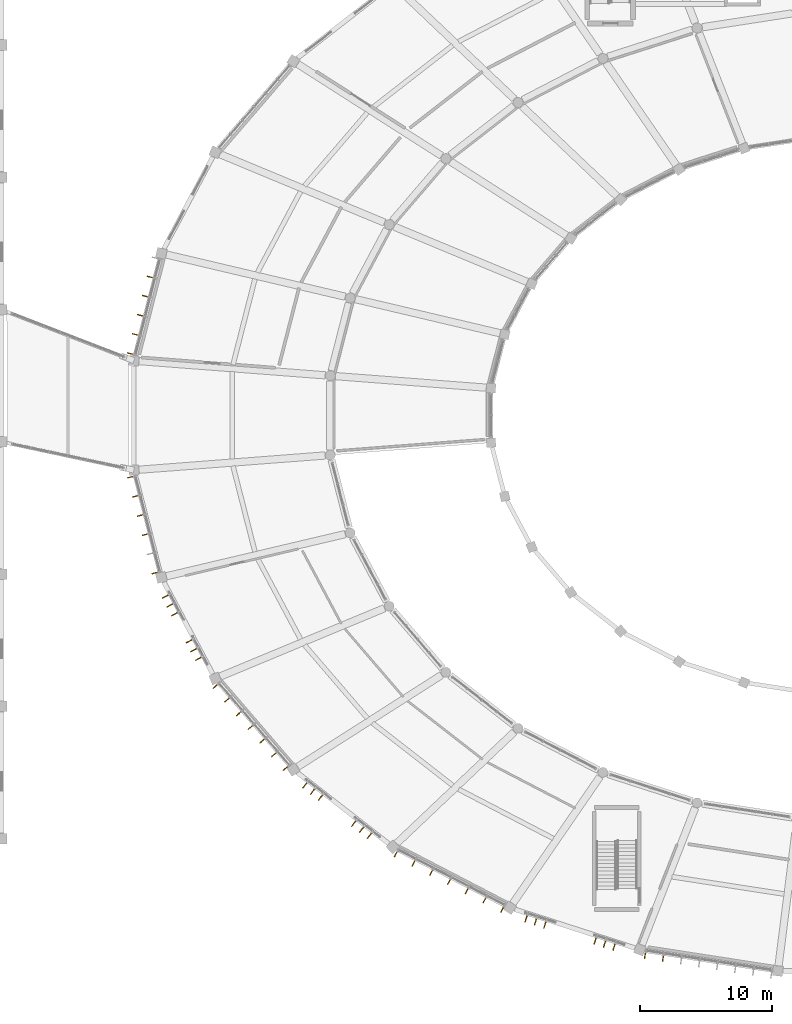
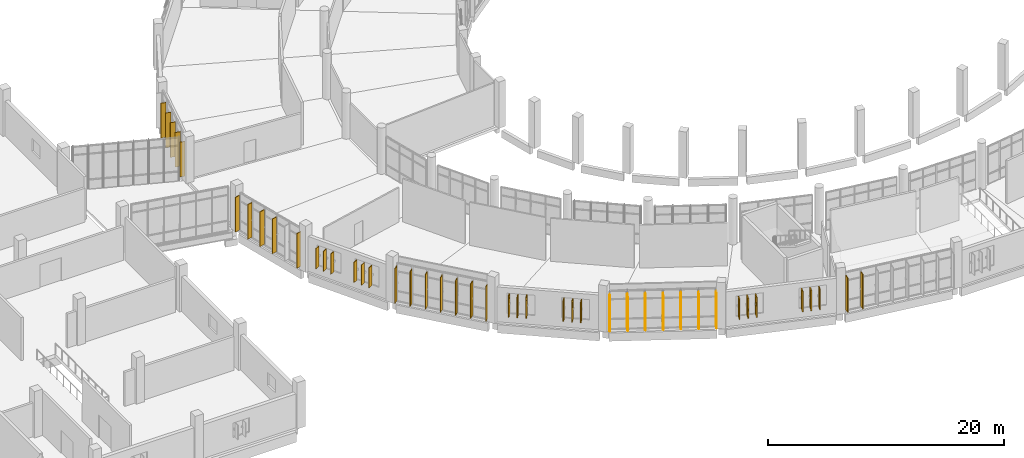
# One storey, part 152 of 179: 44 shading devices.
"""IFC4 building model written with IfcOpenShell, lengths in metres."""

from ifc_helpers import new_model, si_unit, direction, frame, origin, origin_2d, place, context, subcontext, project, spatial, rectangle, extrude, material, type_object, element, save


model = new_model("IFC4")

# Units and contexts
model_context = context("Model", 3, precision=1e-05, world=origin(), true_north=direction((0.0, 1.0)))
body_context = subcontext(model_context, "Body", "Model", "MODEL_VIEW")
ifc_project = project(units=[si_unit("LENGTHUNIT", "METRE"), si_unit("AREAUNIT", "SQUARE_METRE"), si_unit("VOLUMEUNIT", "CUBIC_METRE"), si_unit("PLANEANGLEUNIT", "RADIAN"), si_unit("MASSUNIT", "GRAM", prefix="KILO")], contexts=[model_context])

# Site, building, storey
site_placement = place(None, origin())
site = spatial("IfcSite", under=ifc_project, at=site_placement, CompositionType="ELEMENT")
building_placement = place(site_placement, origin())
building = spatial("IfcBuilding", under=site, at=building_placement, Name="Corvandel Quay Wholesale Market", CompositionType="ELEMENT")
storey_placement = place(building_placement, frame((0.0, 0.0, 6.0)))
storey = spatial("IfcBuildingStorey", under=building, at=storey_placement, Name="L01", CompositionType="ELEMENT", Elevation=6.0)

# Shading devices
ifc_material = material(Name="Bronze anodised extruded aluminium 6063-T6", Category="aluminium")
shading_device_type = type_object("IfcShadingDeviceType", Name="Vertical Anodised Bronze Solar Fin FN01 480mm", PredefinedType="JALOUSIE", material=ifc_material)
for number, where, z_axis, x_axis, name in (
    (1, (61.224853515625, 52.460693359375, 0.175048828125), (0.0, 0.0, 1.0), (-0.968843057437, 0.247675453076, 0.0), "Solar Fin 0033"),
    (2, (60.8544921875, 51.01220703125, 0.175048828125), (0.0, 0.0, 1.0), (-0.968843057437, 0.247675453076, 0.0), "Solar Fin 0034"),
    (3, (60.484130859375, 49.56396484375, 0.175048828125), (0.0, 0.0, 1.0), (-0.968843057437, 0.247675453076, 0.0), "Solar Fin 0035"),
    (4, (60.11376953125, 48.115478515625, 0.175048828125), (0.0, 0.0, 1.0), (-0.968843057437, 0.247675453076, 0.0), "Solar Fin 0036"),
    (5, (59.743408203125, 46.6669921875, 0.175048828125), (0.0, 0.0, 1.0), (-0.968843057437, 0.247675453076, 0.0), "Solar Fin 0037"),
    (6, (59.743408203125, 37.3330078125, 0.175048828125), (0.0, 0.0, 1.0), (0.968843057437, 0.247675453076, 0.0), "Solar Fin 0040"),
    (7, (60.11376953125, 35.884521484375, 0.175048828125), (0.0, 0.0, 1.0), (0.968843057437, 0.247675453076, 0.0), "Solar Fin 0041"),
    (8, (60.484130859375, 34.43603515625, 0.175048828125), (0.0, 0.0, 1.0), (0.968843057437, 0.247675453076, 0.0), "Solar Fin 0042"),
    (9, (60.8544921875, 32.98779296875, 0.175048828125), (0.0, 0.0, 1.0), (0.968843057437, 0.247675453076, 0.0), "Solar Fin 0043"),
    (10, (61.59521484375, 30.0908203125, 0.175048828125), (0.0, 0.0, 1.0), (0.968843057437, 0.247675453076, 0.0), "Solar Fin 0045"),
):
    element("IfcShadingDevice", number, at=place(storey_placement, frame(where, z_axis=z_axis, x_axis=x_axis)), inside=storey, type_object=shading_device_type, Name=name, PredefinedType="JALOUSIE", context=body_context, shape_type="SweptSolid", body=[
        extrude(rectangle(XDim=0.47998046875, YDim=0.06494140625, at=origin_2d()), origin(), (0.0, 0.0, 1.0), 3.60009765625),
    ])
for number, where, z_axis, x_axis, name in (
    (11, (62.354248046875, 28.288818359375, 0.949951171875), (0.0, 0.0, 1.0), (0.882619624736, 0.470087862033, 0.0), "Solar Fin 0052"),
    (12, (62.706787109375, 27.626953125, 0.949951171875), (0.0, 0.0, 1.0), (0.882619624736, 0.470087862033, 0.0), "Solar Fin 0053"),
    (13, (63.059326171875, 26.965087890625, 0.949951171875), (0.0, 0.0, 1.0), (0.882619624736, 0.470087862033, 0.0), "Solar Fin 0054"),
    (14, (64.150146484375, 24.917236328125, 0.949951171875), (0.0, 0.0, 1.0), (0.882619624736, 0.470087862033, 0.0), "Solar Fin 0055"),
    (15, (64.502685546875, 24.25537109375, 0.949951171875), (0.0, 0.0, 1.0), (0.882619624736, 0.470087862033, 0.0), "Solar Fin 0056"),
    (16, (64.855224609375, 23.593505859375, 0.949951171875), (0.0, 0.0, 1.0), (0.882619624736, 0.470087862033, 0.0), "Solar Fin 0057"),
):
    element("IfcShadingDevice", number, at=place(storey_placement, frame(where, z_axis=z_axis, x_axis=x_axis)), inside=storey, type_object=shading_device_type, Name=name, PredefinedType="JALOUSIE", context=body_context, shape_type="SweptSolid", body=[
        extrude(rectangle(XDim=0.47998046875, YDim=0.06494140625, at=origin_2d()), origin(), (0.0, 0.0, 1.0), 2.10009765625),
    ])
for number, where, z_axis, x_axis, name in (
    (17, (66.15087890625, 21.51708984375, 0.175048828125), (0.0, 0.0, 1.0), (0.758589401976, 0.651568967347, 0.0), "Solar Fin 0066"),
    (18, (67.0380859375, 20.484375, 0.175048828125), (0.0, 0.0, 1.0), (0.758589401976, 0.651568967347, 0.0), "Solar Fin 0067"),
    (19, (67.925048828125, 19.45166015625, 0.175048828125), (0.0, 0.0, 1.0), (0.758589401976, 0.651568967347, 0.0), "Solar Fin 0068"),
    (20, (68.812255859375, 18.4189453125, 0.175048828125), (0.0, 0.0, 1.0), (0.758589401976, 0.651568967347, 0.0), "Solar Fin 0069"),
    (21, (69.69921875, 17.38623046875, 0.175048828125), (0.0, 0.0, 1.0), (0.758589401976, 0.651568967347, 0.0), "Solar Fin 0070"),
    (22, (70.58642578125, 16.353515625, 0.175048828125), (0.0, 0.0, 1.0), (0.758589401976, 0.651568967347, 0.0), "Solar Fin 0071"),
    (23, (71.473388671875, 15.32080078125, 0.175048828125), (0.0, 0.0, 1.0), (0.758589401976, 0.651568967347, 0.0), "Solar Fin 0072"),
):
    element("IfcShadingDevice", number, at=place(storey_placement, frame(where, z_axis=z_axis, x_axis=x_axis)), inside=storey, type_object=shading_device_type, Name=name, PredefinedType="JALOUSIE", context=body_context, shape_type="SweptSolid", body=[
        extrude(rectangle(XDim=0.47998046875, YDim=0.06494140625, at=origin_2d()), origin(), (0.0, 0.0, 1.0), 3.60009765625),
    ])
for number, where, z_axis, x_axis, name in (
    (24, (72.90576171875, 14.0078125, 0.949951171875), (0.0, 0.0, 1.0), (0.614009720373, 0.789298462742, 0.0), "Solar Fin 0087"),
    (25, (73.497802734375, 13.54736328125, 0.949951171875), (0.0, 0.0, 1.0), (0.614009720373, 0.789298462742, 0.0), "Solar Fin 0088"),
    (26, (74.089599609375, 13.0869140625, 0.949951171875), (0.0, 0.0, 1.0), (0.614009720373, 0.789298462742, 0.0), "Solar Fin 0089"),
    (27, (76.607666015625, 11.12841796875, 0.949951171875), (0.0, 0.0, 1.0), (0.614009720373, 0.789298462742, 0.0), "Solar Fin 0090"),
    (28, (77.19970703125, 10.667724609375, 0.949951171875), (0.0, 0.0, 1.0), (0.614009720373, 0.789298462742, 0.0), "Solar Fin 0091"),
    (29, (77.79150390625, 10.207275390625, 0.949951171875), (0.0, 0.0, 1.0), (0.614009720373, 0.789298462742, 0.0), "Solar Fin 0092"),
):
    element("IfcShadingDevice", number, at=place(storey_placement, frame(where, z_axis=z_axis, x_axis=x_axis)), inside=storey, type_object=shading_device_type, Name=name, PredefinedType="JALOUSIE", context=body_context, shape_type="SweptSolid", body=[
        extrude(rectangle(XDim=0.47998046875, YDim=0.06494140625, at=origin_2d()), origin(), (0.0, 0.0, 1.0), 2.10009765625),
    ])
for number, where, z_axis, x_axis, name in (
    (30, (79.801025390625, 8.831298828125, 0.175048828125), (0.0, 0.0, 1.0), (0.461129250378, 0.887332978338, 0.0), "Solar Fin 0103"),
    (31, (81.14208984375, 8.134521484375, 0.175048828125), (0.0, 0.0, 1.0), (0.461129250378, 0.887332978338, 0.0), "Solar Fin 0104"),
    (32, (82.48291015625, 7.4375, 0.175048828125), (0.0, 0.0, 1.0), (0.461129250378, 0.887332978338, 0.0), "Solar Fin 0105"),
    (33, (83.82373046875, 6.74072265625, 0.175048828125), (0.0, 0.0, 1.0), (0.461129250378, 0.887332978338, 0.0), "Solar Fin 0106"),
    (34, (85.164794921875, 6.0439453125, 0.175048828125), (0.0, 0.0, 1.0), (0.461129250378, 0.887332978338, 0.0), "Solar Fin 0107"),
    (35, (86.505615234375, 5.34716796875, 0.175048828125), (0.0, 0.0, 1.0), (0.461129250378, 0.887332978338, 0.0), "Solar Fin 0108"),
    (36, (87.846435546875, 4.650390625, 0.175048828125), (0.0, 0.0, 1.0), (0.461129250378, 0.887332978338, 0.0), "Solar Fin 0109"),
):
    element("IfcShadingDevice", number, at=place(storey_placement, frame(where, z_axis=z_axis, x_axis=x_axis)), inside=storey, type_object=shading_device_type, Name=name, PredefinedType="JALOUSIE", context=body_context, shape_type="SweptSolid", body=[
        extrude(rectangle(XDim=0.47998046875, YDim=0.06494140625, at=origin_2d()), origin(), (0.0, 0.0, 1.0), 3.60009765625),
    ])
for number, where, z_axis, x_axis, name in (
    (37, (89.6376953125, 3.92578125, 0.949951171875), (0.0, 0.0, 1.0), (0.306692204733, 0.951808747363, 0.0), "Solar Fin 0118"),
    (38, (90.3515625, 3.69580078125, 0.949951171875), (0.0, 0.0, 1.0), (0.306692204733, 0.951808747363, 0.0), "Solar Fin 0119"),
    (39, (91.0654296875, 3.4658203125, 0.949951171875), (0.0, 0.0, 1.0), (0.306692204733, 0.951808747363, 0.0), "Solar Fin 0120"),
    (40, (94.8583984375, 2.243896484375, 0.949951171875), (0.0, 0.0, 1.0), (0.306692204733, 0.951808747363, 0.0), "Solar Fin 0121"),
    (41, (95.572509765625, 2.013916015625, 0.949951171875), (0.0, 0.0, 1.0), (0.306692204733, 0.951808747363, 0.0), "Solar Fin 0122"),
    (42, (96.2861328125, 1.783935546875, 0.949951171875), (0.0, 0.0, 1.0), (0.306692204733, 0.951808747363, 0.0), "Solar Fin 0123"),
):
    element("IfcShadingDevice", number, at=place(storey_placement, frame(where, z_axis=z_axis, x_axis=x_axis)), inside=storey, type_object=shading_device_type, Name=name, PredefinedType="JALOUSIE", context=body_context, shape_type="SweptSolid", body=[
        extrude(rectangle(XDim=0.47998046875, YDim=0.06494140625, at=origin_2d()), origin(), (0.0, 0.0, 1.0), 2.10009765625),
    ])
for number, where, z_axis, x_axis, name in (
    (43, (98.635498046875, 1.169677734375, 0.175048828125), (0.0, 0.0, 1.0), (0.152813355565, 0.98825506746, 0.0), "Solar Fin 0132"),
    (44, (99.998779296875, 0.958740234375, 0.175048828125), (0.0, 0.0, 1.0), (0.152813355565, 0.98825506746, 0.0), "Solar Fin 0133"),
):
    element("IfcShadingDevice", number, at=place(storey_placement, frame(where, z_axis=z_axis, x_axis=x_axis)), inside=storey, type_object=shading_device_type, Name=name, PredefinedType="JALOUSIE", context=body_context, shape_type="SweptSolid", body=[
        extrude(rectangle(XDim=0.47998046875, YDim=0.06494140625, at=origin_2d()), origin(), (0.0, 0.0, 1.0), 3.60009765625),
    ])

save(model, "model.ifc")
